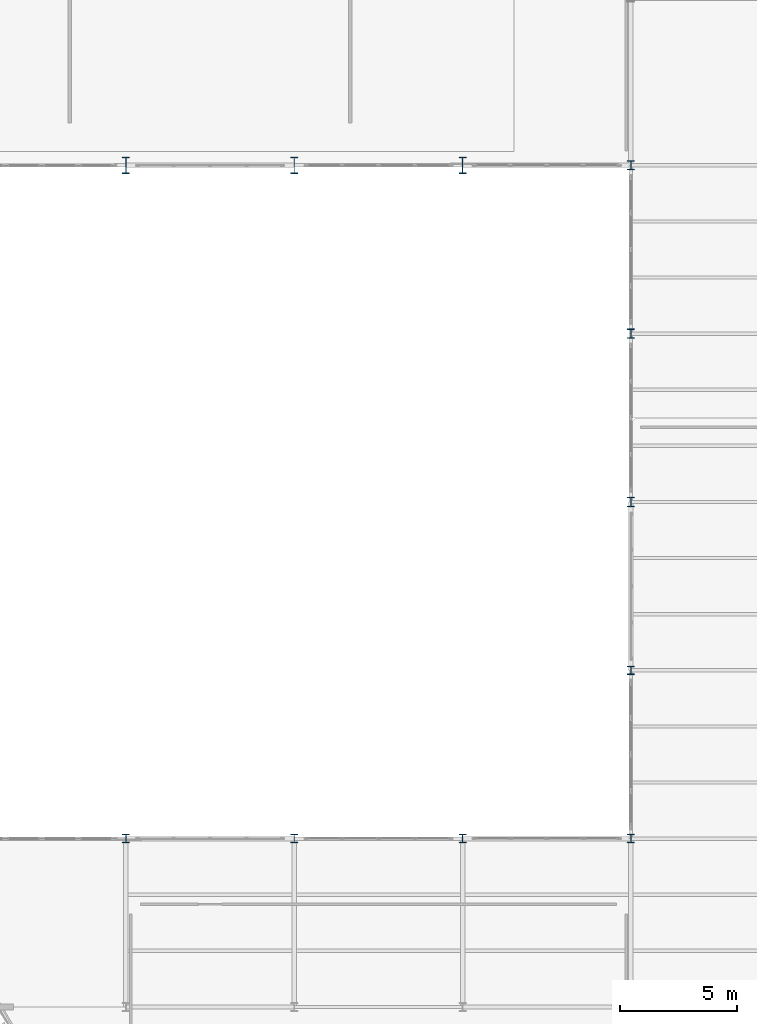
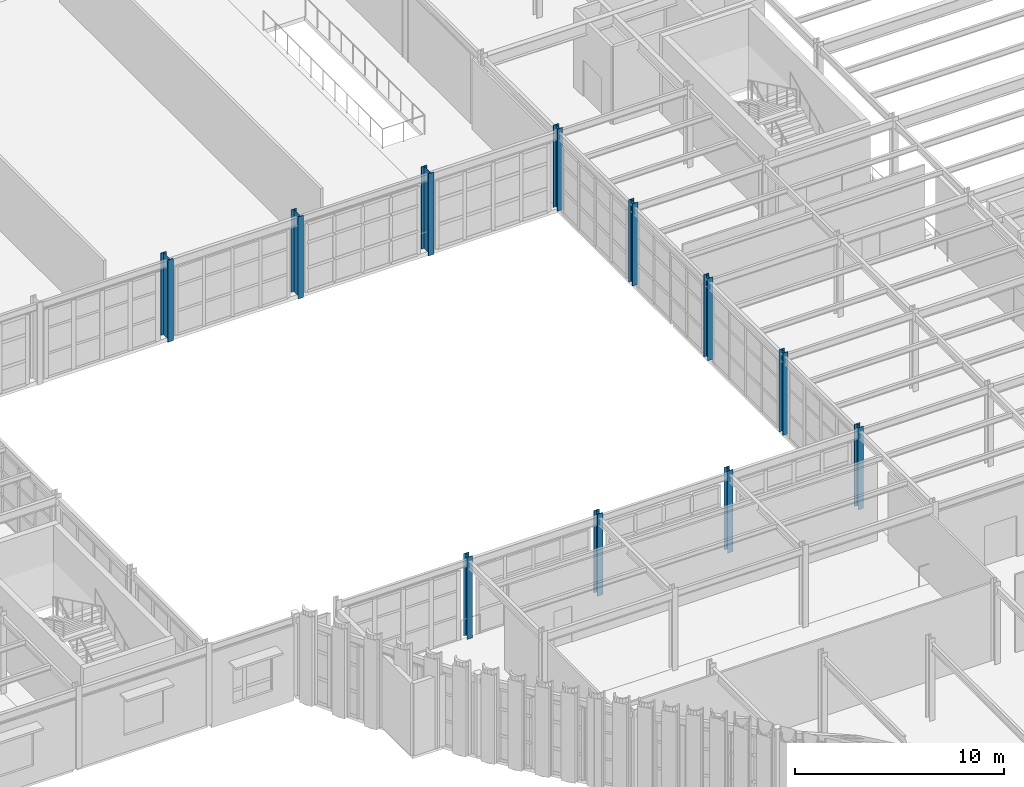
# One storey, part 3 of 126: 11 columns.
"""IFC4 building model written with IfcOpenShell, lengths in metres."""

from ifc_helpers import new_model, si_unit, direction, frame, origin, origin_2d, place, context, subcontext, project, spatial, i_section, extrude, material, material_profile, profile_set, type_object, element, save


model = new_model("IFC4")

# Units and contexts
model_context = context("Model", 3, precision=1e-05, world=origin(), true_north=direction((0.0, 1.0)))
body_context = subcontext(model_context, "Body", "Model", "MODEL_VIEW")
ifc_project = project(units=[si_unit("LENGTHUNIT", "METRE"), si_unit("AREAUNIT", "SQUARE_METRE"), si_unit("VOLUMEUNIT", "CUBIC_METRE"), si_unit("PLANEANGLEUNIT", "RADIAN"), si_unit("MASSUNIT", "GRAM", prefix="KILO")], contexts=[model_context])

# Site, building, storey
site_placement = place(None, origin())
site = spatial("IfcSite", under=ifc_project, at=site_placement, CompositionType="ELEMENT")
building_placement = place(site_placement, origin())
building = spatial("IfcBuilding", under=site, at=building_placement, Name="Solvadek Multi-Sports Hall", CompositionType="ELEMENT")
storey_placement = place(building_placement, frame((0.0, 0.0, 9.60009765625)))
storey = spatial("IfcBuildingStorey", under=building, at=storey_placement, Name="L02", CompositionType="ELEMENT", Elevation=9.60009765625)

# Columns
ifc_material = material(Name="Steel E350 (350 MPa)", Category="steel")
ifc_material_profile_1 = material_profile(ifc_material, i_section(OverallWidth=0.300048828125, OverallDepth=0.360107421875, WebThickness=0.012451171875, FlangeThickness=0.0224609375, at=origin_2d()), Name="WPB 360")
ifc_profile_set_1 = profile_set([ifc_material_profile_1], Name="Steel E350 (350 MPa)")
column_type_1 = type_object("IfcColumnType", Name="STR-COL-WPB360", PredefinedType="COLUMN", material=ifc_profile_set_1)
for number, where, z_axis, x_axis, name in (
    (1, (36.0, 20.39990234375, 0.0), (0.0, 0.0, 1.0), (1.0, 0.0, 0.0), "L02 Column C-08 #68"),
    (2, (43.199951171875, 20.39990234375, 0.0), (0.0, 0.0, 1.0), (1.0, 0.0, 0.0), "L02 Column C-08 #84"),
    (3, (50.39990234375, 20.39990234375, 0.0), (0.0, 0.0, 1.0), (1.0, 0.0, 0.0), "L02 Column C-08 #100"),
    (4, (57.60009765625, 20.39990234375, 0.0), (0.0, 0.0, 1.0), (1.0, 0.0, 0.0), "L02 Column C-08 #116"),
    (5, (57.60009765625, 27.60009765625, 0.0), (0.0, 0.0, 1.0), (1.0, 0.0, 0.0), "L02 Column C-08 #117"),
):
    element("IfcColumn", number, at=place(storey_placement, frame(where, z_axis=z_axis, x_axis=x_axis)), inside=storey, type_object=column_type_1, Name=name, PredefinedType="COLUMN", context=body_context, shape_type="SweptSolid", body=[
        extrude(i_section(OverallWidth=0.300048828125, OverallDepth=0.360107421875, WebThickness=0.012451171875, FlangeThickness=0.0224609375, at=origin_2d()), origin(), (0.0, 0.0, 1.0), 4.7998046875),
    ])
ifc_material_profile_2 = material_profile(ifc_material, i_section(OverallWidth=0.300048828125, OverallDepth=0.39990234375, WebThickness=0.013427734375, FlangeThickness=0.02392578125, at=origin_2d()), Name="WPB 400")
ifc_profile_set_2 = profile_set([ifc_material_profile_2], Name="Steel E350 (350 MPa)")
column_type_2 = type_object("IfcColumnType", Name="STR-COL-WPB400", PredefinedType="COLUMN", material=ifc_profile_set_2)
for number, where, z_axis, x_axis, name in (
    (6, (57.60009765625, 34.800048828125, 0.0), (0.0, 0.0, 1.0), (1.0, 0.0, 0.0), "L02 Column C-07 #118"),
    (7, (57.60009765625, 42.0, 0.0), (0.0, 0.0, 1.0), (1.0, 0.0, 0.0), "L02 Column C-07 #119"),
    (8, (57.60009765625, 49.199951171875, 0.0), (0.0, 0.0, 1.0), (1.0, 0.0, 0.0), "L02 Column C-07 #120"),
):
    element("IfcColumn", number, at=place(storey_placement, frame(where, z_axis=z_axis, x_axis=x_axis)), inside=storey, type_object=column_type_2, Name=name, PredefinedType="COLUMN", context=body_context, shape_type="SweptSolid", body=[
        extrude(i_section(OverallWidth=0.300048828125, OverallDepth=0.39990234375, WebThickness=0.013427734375, FlangeThickness=0.02392578125, at=origin_2d()), origin(), (0.0, 0.0, 1.0), 4.7998046875),
    ])
ifc_material_profile_3 = material_profile(ifc_material, i_section(OverallWidth=0.300048828125, OverallDepth=0.699951171875, WebThickness=0.01708984375, FlangeThickness=0.031982421875, at=origin_2d()), Name="WPB 700")
ifc_profile_set_3 = profile_set([ifc_material_profile_3], Name="Steel E350 (350 MPa)")
column_type_3 = type_object("IfcColumnType", Name="STR-COL-WPB700", PredefinedType="COLUMN", material=ifc_profile_set_3)
for number, where, z_axis, x_axis, name in (
    (9, (36.0, 49.199951171875, 0.0), (0.0, 0.0, 1.0), (1.0, 0.0, 0.0), "L02 Column C-02 #72"),
    (10, (43.199951171875, 49.199951171875, 0.0), (0.0, 0.0, 1.0), (1.0, 0.0, 0.0), "L02 Column C-02 #88"),
    (11, (50.39990234375, 49.199951171875, 0.0), (0.0, 0.0, 1.0), (1.0, 0.0, 0.0), "L02 Column C-02 #104"),
):
    element("IfcColumn", number, at=place(storey_placement, frame(where, z_axis=z_axis, x_axis=x_axis)), inside=storey, type_object=column_type_3, Name=name, PredefinedType="COLUMN", context=body_context, shape_type="SweptSolid", body=[
        extrude(i_section(OverallWidth=0.300048828125, OverallDepth=0.699951171875, WebThickness=0.01708984375, FlangeThickness=0.031982421875, at=origin_2d()), origin(), (0.0, 0.0, 1.0), 4.7998046875),
    ])

save(model, "model.ifc")
